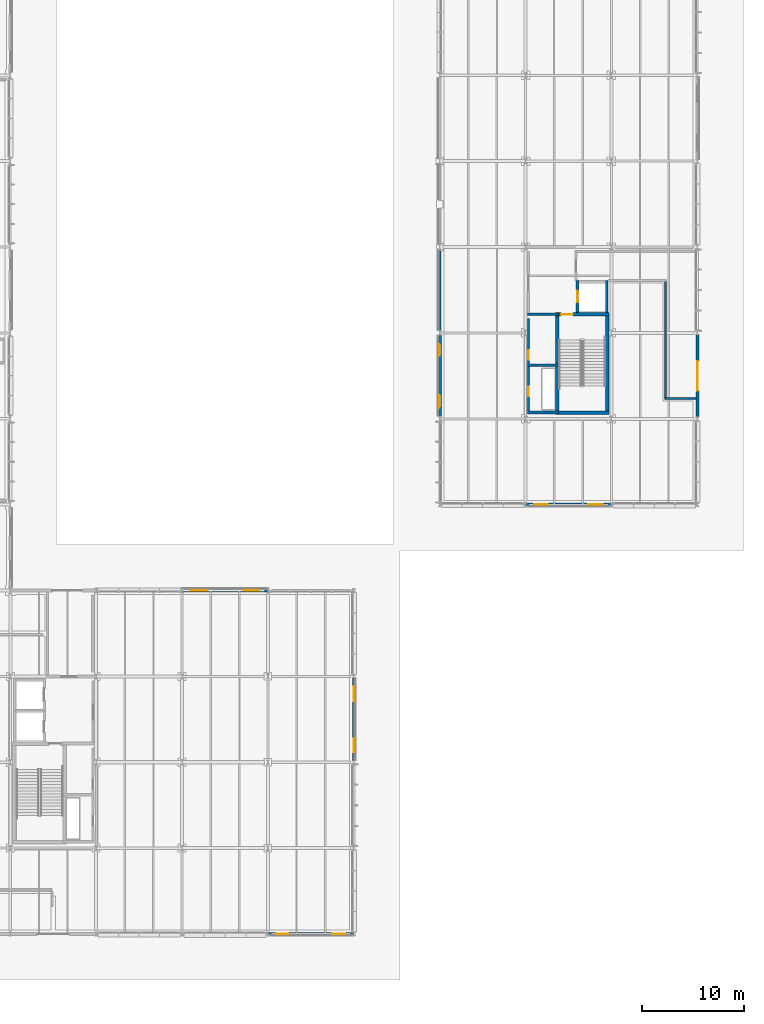
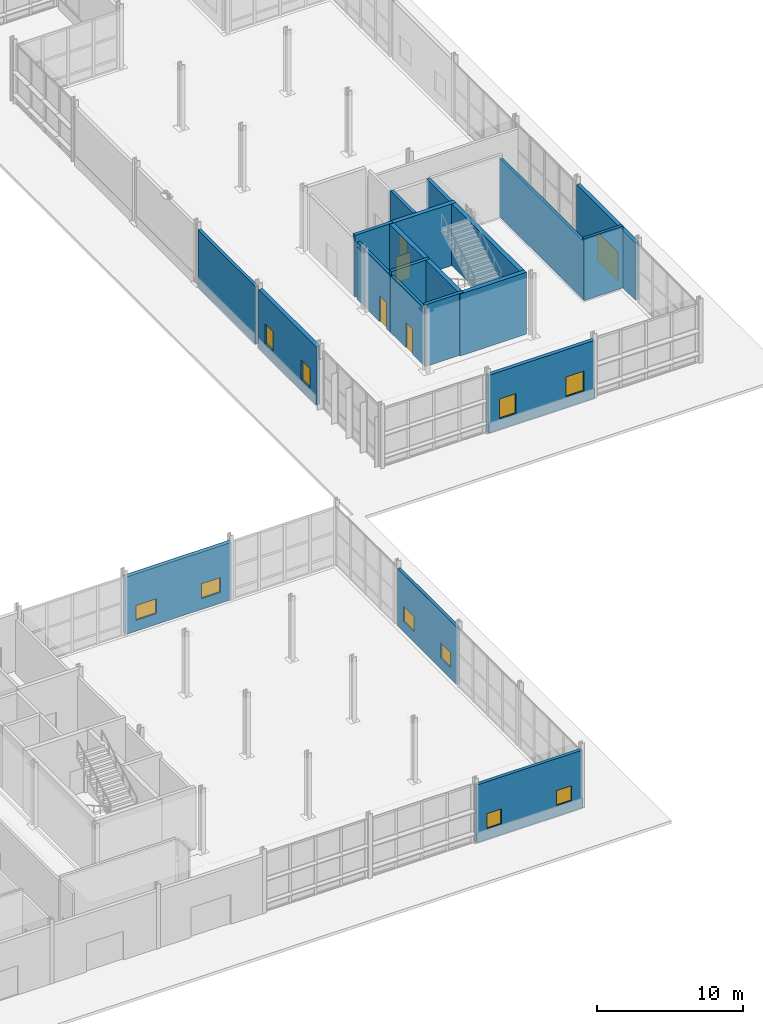
# One storey, part 92 of 124: 20 walls, 10 windows, 5 doors, 15 openings.
"""IFC4 building model written with IfcOpenShell, lengths in metres."""

from ifc_helpers import new_model, si_unit, direction, frame, frame_2d, origin, place, context, subcontext, project, spatial, rectangle, extrude, material, layer, layer_set, type_object, element, fill, save


model = new_model("IFC4")

# Units and contexts
model_context = context("Model", 3, precision=1e-05, world=origin(), true_north=direction((0.0, 1.0)))
body_context = subcontext(model_context, "Body", "Model", "MODEL_VIEW")
ifc_project = project(units=[si_unit("LENGTHUNIT", "METRE"), si_unit("AREAUNIT", "SQUARE_METRE"), si_unit("VOLUMEUNIT", "CUBIC_METRE"), si_unit("PLANEANGLEUNIT", "RADIAN"), si_unit("MASSUNIT", "GRAM", prefix="KILO")], contexts=[model_context])

# Site, building, storey
site_placement = place(None, origin())
site = spatial("IfcSite", under=ifc_project, at=site_placement, CompositionType="ELEMENT")
building_placement = place(site_placement, origin())
building = spatial("IfcBuilding", under=site, at=building_placement, Name="Mersafa Astral City Hall", CompositionType="ELEMENT")
storey_placement = place(building_placement, origin())
storey = spatial("IfcBuildingStorey", under=building, at=storey_placement, Name="L00", CompositionType="ELEMENT", Elevation=0.0)

# Wall, openings, windows
ifc_material_1 = material(Name="Precast concrete C40/50 insulated terracotta spandrel", Category="masonry")
ifc_layer_1 = layer(ifc_material_1, 0.235107421875, Name="Precast concrete C40/50 insulated terracotta spandrel")
ifc_layer_set_1 = layer_set([ifc_layer_1], Name="Precast concrete C40/50 insulated terracotta spandrel — ENV-WAL-EXT-235")
wall_type_1 = type_object("IfcWallType", Name="ENV-WAL-EXT-235", PredefinedType="STANDARD", material=ifc_layer_set_1)
wall_1_placement = place(storey_placement, frame((151.199951171875, 16.946044921875, 0.0), z_axis=(0.0, 0.0, 1.0), x_axis=(0.0, 1.0, 0.0)))
wall_1 = element("IfcWall", 1, at=wall_1_placement, inside=storey, type_object=wall_type_1, Name="L00 Limestone-clad exterior wall 17", PredefinedType="STANDARD", context=body_context, shape_type="SweptSolid", body=[
    extrude(rectangle(XDim=8.10791015625, YDim=0.235107421875, at=frame_2d((4.053955078125, 0.0))), origin(), (0.0, 0.0, 1.0), 4.797119140625),
])
opening_1_placement = place(wall_1_placement, frame((0.85009765625, 0.0, 0.89990234375)))
opening_1 = element("IfcOpeningElement", 2, at=opening_1_placement, cuts=wall_1, Name="Opening W-14", PredefinedType="OPENING", context=body_context, shape_type="SweptSolid", body=[
    extrude(rectangle(XDim=1.320068359375, YDim=1.25, at=frame_2d((0.66015625, 0.625))), frame((0.0, 0.12744140625, 0.0), z_axis=(0.0, -1.0, 0.0), x_axis=(1.0, 0.0, 0.0)), (0.0, 0.0, 1.0), 0.255126953125),
])
opening_2_placement = place(wall_1_placement, frame((5.837890625, 0.0, 0.89990234375)))
opening_2 = element("IfcOpeningElement", 3, at=opening_2_placement, cuts=wall_1, Name="Opening W-15", PredefinedType="OPENING", context=body_context, shape_type="SweptSolid", body=[
    extrude(rectangle(XDim=1.419921875, YDim=1.25, at=frame_2d((0.7099609375, 0.625))), frame((0.0, 0.12744140625, 0.0), z_axis=(0.0, -1.0, 0.0), x_axis=(1.0, 0.0, 0.0)), (0.0, 0.0, 1.0), 0.255126953125),
])
ifc_material_2 = material(Name="Solar control low-e double glazing in bronze frame", Category="glass")
window_type_1 = type_object("IfcWindowType", Name="ENV-WIN-W-14", PartitioningType="SINGLE_PANEL", PredefinedType="WINDOW", material=ifc_material_2)
window_1_placement = place(opening_1_placement, origin())
window_1 = element("IfcWindow", 4, at=window_1_placement, inside=storey, type_object=window_type_1, Name="L00 Solar punched window 17-L", OverallHeight=1.25, OverallWidth=1.320068359375, PartitioningType="SINGLE_PANEL", PredefinedType="WINDOW", context=body_context, shape_type="SweptSolid", body=[
    extrude(rectangle(XDim=1.320068359375, YDim=1.25, at=frame_2d((0.66015625, 0.625))), frame((0.0, 0.030029296875, 0.0), z_axis=(0.0, -1.0, 0.0), x_axis=(1.0, 0.0, 0.0)), (0.0, 0.0, 1.0), 0.06005859375),
])
fill(opening_1, window_1)
window_type_2 = type_object("IfcWindowType", Name="ENV-WIN-W-15", PartitioningType="SINGLE_PANEL", PredefinedType="WINDOW", material=ifc_material_2)
window_2_placement = place(opening_2_placement, origin())
window_2 = element("IfcWindow", 5, at=window_2_placement, inside=storey, type_object=window_type_2, Name="L00 Solar punched window 17-R", OverallHeight=1.25, OverallWidth=1.419921875, PartitioningType="SINGLE_PANEL", PredefinedType="WINDOW", context=body_context, shape_type="SweptSolid", body=[
    extrude(rectangle(XDim=1.419921875, YDim=1.25, at=frame_2d((0.7099609375, 0.625))), frame((0.0, 0.030029296875, 0.0), z_axis=(0.0, -1.0, 0.0), x_axis=(1.0, 0.0, 0.0)), (0.0, 0.0, 1.0), 0.06005859375),
])
fill(opening_2, window_2)

# Wall
wall_2_placement = place(storey_placement, frame((159.60009765625, 66.9541015625, 0.0), z_axis=(0.0, 0.0, 1.0), x_axis=(0.0, -1.0, 0.0)))
element("IfcWall", 6, at=wall_2_placement, inside=storey, type_object=wall_type_1, Name="L00 Limestone-clad exterior wall 29", PredefinedType="STANDARD", context=body_context, shape_type="SweptSolid", body=[
    extrude(rectangle(XDim=7.908203125, YDim=0.235107421875, at=frame_2d((3.9541015625, 0.0))), origin(), (0.0, 0.0, 1.0), 4.797119140625),
])

# Wall, openings, windows
ifc_layer_2 = layer(ifc_material_1, 0.25, Name="Precast concrete C40/50 insulated terracotta spandrel")
ifc_layer_set_2 = layer_set([ifc_layer_2], Name="Precast concrete C40/50 insulated terracotta spandrel — ENV-WAL-EXT-250")
wall_type_2 = type_object("IfcWallType", Name="ENV-WAL-EXT-250", PredefinedType="STANDARD", material=ifc_layer_set_2)
wall_3_placement = place(storey_placement, frame((142.80810546875, 0.0, 0.0), z_axis=(0.0, 0.0, 1.0), x_axis=(1.0, 0.0, 0.0)))
wall_3 = element("IfcWall", 7, at=wall_3_placement, inside=storey, type_object=wall_type_2, Name="L00 Limestone-clad exterior wall 16", PredefinedType="STANDARD", context=body_context, shape_type="SweptSolid", body=[
    extrude(rectangle(XDim=8.3837890625, YDim=0.25, at=frame_2d((4.19189453125, 0.0))), origin(), (0.0, 0.0, 1.0), 4.826904296875),
])
opening_3_placement = place(wall_3_placement, frame((0.85009765625, 0.0, 0.89990234375)))
opening_3 = element("IfcOpeningElement", 8, at=opening_3_placement, cuts=wall_3, Name="Opening W-12", PredefinedType="OPENING", context=body_context, shape_type="SweptSolid", body=[
    extrude(rectangle(XDim=1.1201171875, YDim=1.25, at=frame_2d((0.56005859375, 0.625))), frame((0.0, 0.135009765625, 0.0), z_axis=(0.0, -1.0, 0.0), x_axis=(1.0, 0.0, 0.0)), (0.0, 0.0, 1.0), 0.27001953125),
])
opening_4_placement = place(wall_3_placement, frame((6.31396484375, 0.0, 0.89990234375)))
opening_4 = element("IfcOpeningElement", 9, at=opening_4_placement, cuts=wall_3, Name="Opening W-13", PredefinedType="OPENING", context=body_context, shape_type="SweptSolid", body=[
    extrude(rectangle(XDim=1.219970703125, YDim=1.25, at=frame_2d((0.60986328125, 0.625))), frame((0.0, 0.135009765625, 0.0), z_axis=(0.0, -1.0, 0.0), x_axis=(1.0, 0.0, 0.0)), (0.0, 0.0, 1.0), 0.27001953125),
])
window_type_3 = type_object("IfcWindowType", Name="ENV-WIN-W-12", PartitioningType="SINGLE_PANEL", PredefinedType="WINDOW", material=ifc_material_2)
window_3_placement = place(opening_3_placement, origin())
window_3 = element("IfcWindow", 10, at=window_3_placement, inside=storey, type_object=window_type_3, Name="L00 Solar punched window 16-L", OverallHeight=1.25, OverallWidth=1.1201171875, PartitioningType="SINGLE_PANEL", PredefinedType="WINDOW", context=body_context, shape_type="SweptSolid", body=[
    extrude(rectangle(XDim=1.1201171875, YDim=1.25, at=frame_2d((0.56005859375, 0.625))), frame((0.0, 0.030029296875, 0.0), z_axis=(0.0, -1.0, 0.0), x_axis=(1.0, 0.0, 0.0)), (0.0, 0.0, 1.0), 0.06005859375),
])
fill(opening_3, window_3)
window_type_4 = type_object("IfcWindowType", Name="ENV-WIN-W-13", PartitioningType="SINGLE_PANEL", PredefinedType="WINDOW", material=ifc_material_2)
window_4_placement = place(opening_4_placement, origin())
window_4 = element("IfcWindow", 11, at=window_4_placement, inside=storey, type_object=window_type_4, Name="L00 Solar punched window 16-R", OverallHeight=1.25, OverallWidth=1.219970703125, PartitioningType="SINGLE_PANEL", PredefinedType="WINDOW", context=body_context, shape_type="SweptSolid", body=[
    extrude(rectangle(XDim=1.219970703125, YDim=1.25, at=frame_2d((0.60986328125, 0.625))), frame((0.0, 0.030029296875, 0.0), z_axis=(0.0, -1.0, 0.0), x_axis=(1.0, 0.0, 0.0)), (0.0, 0.0, 1.0), 0.06005859375),
])
fill(opening_4, window_4)

ifc_material_3 = material(Name="Precast concrete C40/50 insulated limestone wall", Category="masonry")
ifc_layer_3 = layer(ifc_material_3, 0.294921875, Name="Precast concrete C40/50 insulated limestone wall")
ifc_layer_set_3 = layer_set([ifc_layer_3], Name="Precast concrete C40/50 insulated limestone wall — ENV-WAL-EXT-295")
wall_type_3 = type_object("IfcWallType", Name="ENV-WAL-EXT-295", PredefinedType="STANDARD", material=ifc_layer_set_3)
wall_4_placement = place(storey_placement, frame((168.008056640625, 42.0, 0.0), z_axis=(0.0, 0.0, 1.0), x_axis=(1.0, 0.0, 0.0)))
wall_4 = element("IfcWall", 12, at=wall_4_placement, inside=storey, type_object=wall_type_3, Name="L00 Limestone-clad exterior wall 31", PredefinedType="STANDARD", context=body_context, shape_type="SweptSolid", body=[
    extrude(rectangle(XDim=8.384033203125, YDim=0.294921875, at=frame_2d((4.19189453125, 0.0))), origin(), (0.0, 0.0, 1.0), 4.826904296875),
])
opening_5_placement = place(wall_4_placement, frame((0.85009765625, 0.0, 0.89990234375)))
opening_5 = element("IfcOpeningElement", 13, at=opening_5_placement, cuts=wall_4, Name="Opening W-34", PredefinedType="OPENING", context=body_context, shape_type="SweptSolid", body=[
    extrude(rectangle(XDim=1.320068359375, YDim=1.64990234375, at=frame_2d((0.66015625, 0.824951171875))), frame((0.0, 0.157470703125, 0.0), z_axis=(0.0, -1.0, 0.0), x_axis=(1.0, 0.0, 0.0)), (0.0, 0.0, 1.0), 0.31494140625),
])
opening_6_placement = place(wall_4_placement, frame((6.114013671875, 0.0, 0.89990234375)))
opening_6 = element("IfcOpeningElement", 14, at=opening_6_placement, cuts=wall_4, Name="Opening W-35", PredefinedType="OPENING", context=body_context, shape_type="SweptSolid", body=[
    extrude(rectangle(XDim=1.419921875, YDim=1.64990234375, at=frame_2d((0.7099609375, 0.824951171875))), frame((0.0, 0.157470703125, 0.0), z_axis=(0.0, -1.0, 0.0), x_axis=(1.0, 0.0, 0.0)), (0.0, 0.0, 1.0), 0.31494140625),
])
window_type_5 = type_object("IfcWindowType", Name="ENV-WIN-W-34", PartitioningType="SINGLE_PANEL", PredefinedType="WINDOW", material=ifc_material_2)
window_5_placement = place(opening_5_placement, origin())
window_5 = element("IfcWindow", 15, at=window_5_placement, inside=storey, type_object=window_type_5, Name="L00 Solar punched window 31-L", OverallHeight=1.64990234375, OverallWidth=1.320068359375, PartitioningType="SINGLE_PANEL", PredefinedType="WINDOW", context=body_context, shape_type="SweptSolid", body=[
    extrude(rectangle(XDim=1.320068359375, YDim=1.64990234375, at=frame_2d((0.66015625, 0.824951171875))), frame((0.0, 0.030029296875, 0.0), z_axis=(0.0, -1.0, 0.0), x_axis=(1.0, 0.0, 0.0)), (0.0, 0.0, 1.0), 0.06005859375),
])
fill(opening_5, window_5)
window_type_6 = type_object("IfcWindowType", Name="ENV-WIN-W-35", PartitioningType="SINGLE_PANEL", PredefinedType="WINDOW", material=ifc_material_2)
window_6_placement = place(opening_6_placement, origin())
window_6 = element("IfcWindow", 16, at=window_6_placement, inside=storey, type_object=window_type_6, Name="L00 Solar punched window 31-R", OverallHeight=1.64990234375, OverallWidth=1.419921875, PartitioningType="SINGLE_PANEL", PredefinedType="WINDOW", context=body_context, shape_type="SweptSolid", body=[
    extrude(rectangle(XDim=1.419921875, YDim=1.64990234375, at=frame_2d((0.7099609375, 0.824951171875))), frame((0.0, 0.030029296875, 0.0), z_axis=(0.0, -1.0, 0.0), x_axis=(1.0, 0.0, 0.0)), (0.0, 0.0, 1.0), 0.06005859375),
])
fill(opening_6, window_6)

# Wall, opening, door
wall_5_placement = place(storey_placement, frame((184.800048828125, 58.634033203125, 0.0), z_axis=(0.0, 0.0, 1.0), x_axis=(0.0, -1.0, 0.0)))
wall_5 = element("IfcWall", 17, at=wall_5_placement, inside=storey, type_object=wall_type_3, Name="L00 Protected passageway exit wall E8", PredefinedType="STANDARD", context=body_context, shape_type="SweptSolid", body=[
    extrude(rectangle(XDim=8.05810546875, YDim=0.294921875, at=frame_2d((4.029052734375, 0.0))), origin(), (0.0, 0.0, 1.0), 4.797119140625),
])
opening_7_placement = place(wall_5_placement, frame((2.583984375, 0.0, 0.0)))
opening_7 = element("IfcOpeningElement", 18, at=opening_7_placement, cuts=wall_5, Name="Opening ED-4", PredefinedType="OPENING", context=body_context, shape_type="SweptSolid", body=[
    extrude(rectangle(XDim=2.89990234375, YDim=2.3798828125, at=frame_2d((1.449951171875, 1.18994140625))), frame((0.0, 0.157470703125, 0.0), z_axis=(0.0, -1.0, 0.0), x_axis=(1.0, 0.0, 0.0)), (0.0, 0.0, 1.0), 0.31494140625),
])
ifc_material_4 = material(Name="Fire-rated steel exit door pair", Category="steel")
door_type_1 = type_object("IfcDoorType", Name="ENV-DR-EXIT-FD90-2650", OperationType="NOTDEFINED", PredefinedType="DOOR", material=ifc_material_4)
door_1_placement = place(opening_7_placement, origin())
door_1 = element("IfcDoor", 19, at=door_1_placement, inside=storey, type_object=door_type_1, Name="Ground Final Exit Door E8", OperationType="DOUBLE_DOOR_SINGLE_SWING", OverallHeight=2.3798828125, OverallWidth=2.89990234375, PredefinedType="DOOR", context=body_context, shape_type="SweptSolid", body=[
    extrude(rectangle(XDim=2.89990234375, YDim=2.3798828125, at=frame_2d((1.449951171875, 1.18994140625))), frame((0.0, 0.02490234375, 0.0), z_axis=(0.0, -1.0, 0.0), x_axis=(1.0, 0.0, 0.0)), (0.0, 0.0, 1.0), 0.050048828125),
])
fill(opening_7, door_1)

# Wall, openings, windows
ifc_layer_4 = layer(ifc_material_3, 0.31005859375, Name="Precast concrete C40/50 insulated limestone wall")
ifc_layer_set_4 = layer_set([ifc_layer_4], Name="Precast concrete C40/50 insulated limestone wall — ENV-WAL-EXT-310")
wall_type_4 = type_object("IfcWallType", Name="ENV-WAL-EXT-310", PredefinedType="STANDARD", material=ifc_layer_set_4)
wall_6_placement = place(storey_placement, frame((142.7919921875, 33.60009765625, 0.0), z_axis=(0.0, 0.0, 1.0), x_axis=(-1.0, 0.0, 0.0)))
wall_6 = element("IfcWall", 20, at=wall_6_placement, inside=storey, type_object=wall_type_4, Name="L00 Limestone-clad exterior wall 18", PredefinedType="STANDARD", context=body_context, shape_type="SweptSolid", body=[
    extrude(rectangle(XDim=8.384033203125, YDim=0.31005859375, at=frame_2d((4.19189453125, 0.0))), origin(), (0.0, 0.0, 1.0), 4.797119140625),
])
opening_8_placement = place(wall_6_placement, frame((0.85009765625, 0.0, 0.89990234375)))
opening_8 = element("IfcOpeningElement", 21, at=opening_8_placement, cuts=wall_6, Name="Opening W-16", PredefinedType="OPENING", context=body_context, shape_type="SweptSolid", body=[
    extrude(rectangle(XDim=1.52001953125, YDim=1.25, at=frame_2d((0.760009765625, 0.625))), frame((0.0, 0.1650390625, 0.0), z_axis=(0.0, -1.0, 0.0), x_axis=(1.0, 0.0, 0.0)), (0.0, 0.0, 1.0), 0.330078125),
])
opening_9_placement = place(wall_6_placement, frame((5.9140625, 0.0, 0.89990234375)))
opening_9 = element("IfcOpeningElement", 22, at=opening_9_placement, cuts=wall_6, Name="Opening W-17", PredefinedType="OPENING", context=body_context, shape_type="SweptSolid", body=[
    extrude(rectangle(XDim=1.6201171875, YDim=1.25, at=frame_2d((0.81005859375, 0.625))), frame((0.0, 0.1650390625, 0.0), z_axis=(0.0, -1.0, 0.0), x_axis=(1.0, 0.0, 0.0)), (0.0, 0.0, 1.0), 0.330078125),
])
window_type_7 = type_object("IfcWindowType", Name="ENV-WIN-W-16", PartitioningType="SINGLE_PANEL", PredefinedType="WINDOW", material=ifc_material_2)
window_7_placement = place(opening_8_placement, origin())
window_7 = element("IfcWindow", 23, at=window_7_placement, inside=storey, type_object=window_type_7, Name="L00 Solar punched window 18-L", OverallHeight=1.25, OverallWidth=1.52001953125, PartitioningType="SINGLE_PANEL", PredefinedType="WINDOW", context=body_context, shape_type="SweptSolid", body=[
    extrude(rectangle(XDim=1.52001953125, YDim=1.25, at=frame_2d((0.760009765625, 0.625))), frame((0.0, 0.030029296875, 0.0), z_axis=(0.0, -1.0, 0.0), x_axis=(1.0, 0.0, 0.0)), (0.0, 0.0, 1.0), 0.06005859375),
])
fill(opening_8, window_7)
window_type_8 = type_object("IfcWindowType", Name="ENV-WIN-W-17", PartitioningType="SINGLE_PANEL", PredefinedType="WINDOW", material=ifc_material_2)
window_8_placement = place(opening_9_placement, origin())
window_8 = element("IfcWindow", 24, at=window_8_placement, inside=storey, type_object=window_type_8, Name="L00 Solar punched window 18-R", OverallHeight=1.25, OverallWidth=1.6201171875, PartitioningType="SINGLE_PANEL", PredefinedType="WINDOW", context=body_context, shape_type="SweptSolid", body=[
    extrude(rectangle(XDim=1.6201171875, YDim=1.25, at=frame_2d((0.81005859375, 0.625))), frame((0.0, 0.030029296875, 0.0), z_axis=(0.0, -1.0, 0.0), x_axis=(1.0, 0.0, 0.0)), (0.0, 0.0, 1.0), 0.06005859375),
])
fill(opening_9, window_8)

wall_7_placement = place(storey_placement, frame((159.60009765625, 58.553955078125, 0.0), z_axis=(0.0, 0.0, 1.0), x_axis=(0.0, -1.0, 0.0)))
wall_7 = element("IfcWall", 25, at=wall_7_placement, inside=storey, type_object=wall_type_4, Name="L00 Limestone-clad exterior wall 30", PredefinedType="STANDARD", context=body_context, shape_type="SweptSolid", body=[
    extrude(rectangle(XDim=7.907958984375, YDim=0.31005859375, at=frame_2d((3.9541015625, 0.0))), origin(), (0.0, 0.0, 1.0), 4.886962890625),
])
opening_10_placement = place(wall_7_placement, frame((0.85009765625, 0.0, 0.89990234375)))
opening_10 = element("IfcOpeningElement", 26, at=opening_10_placement, cuts=wall_7, Name="Opening W-32", PredefinedType="OPENING", context=body_context, shape_type="SweptSolid", body=[
    extrude(rectangle(XDim=1.1201171875, YDim=1.64990234375, at=frame_2d((0.56005859375, 0.824951171875))), frame((0.0, 0.1650390625, 0.0), z_axis=(0.0, -1.0, 0.0), x_axis=(1.0, 0.0, 0.0)), (0.0, 0.0, 1.0), 0.330078125),
])
opening_11_placement = place(wall_7_placement, frame((5.837890625, 0.0, 0.89990234375)))
opening_11 = element("IfcOpeningElement", 27, at=opening_11_placement, cuts=wall_7, Name="Opening W-33", PredefinedType="OPENING", context=body_context, shape_type="SweptSolid", body=[
    extrude(rectangle(XDim=1.219970703125, YDim=1.64990234375, at=frame_2d((0.60986328125, 0.824951171875))), frame((0.0, 0.1650390625, 0.0), z_axis=(0.0, -1.0, 0.0), x_axis=(1.0, 0.0, 0.0)), (0.0, 0.0, 1.0), 0.330078125),
])
window_type_9 = type_object("IfcWindowType", Name="ENV-WIN-W-32", PartitioningType="SINGLE_PANEL", PredefinedType="WINDOW", material=ifc_material_2)
window_9_placement = place(opening_10_placement, origin())
window_9 = element("IfcWindow", 28, at=window_9_placement, inside=storey, type_object=window_type_9, Name="L00 Solar punched window 30-L", OverallHeight=1.64990234375, OverallWidth=1.1201171875, PartitioningType="SINGLE_PANEL", PredefinedType="WINDOW", context=body_context, shape_type="SweptSolid", body=[
    extrude(rectangle(XDim=1.1201171875, YDim=1.64990234375, at=frame_2d((0.56005859375, 0.824951171875))), frame((0.0, 0.030029296875, 0.0), z_axis=(0.0, -1.0, 0.0), x_axis=(1.0, 0.0, 0.0)), (0.0, 0.0, 1.0), 0.06005859375),
])
fill(opening_10, window_9)
window_type_10 = type_object("IfcWindowType", Name="ENV-WIN-W-33", PartitioningType="SINGLE_PANEL", PredefinedType="WINDOW", material=ifc_material_2)
window_10_placement = place(opening_11_placement, origin())
window_10 = element("IfcWindow", 29, at=window_10_placement, inside=storey, type_object=window_type_10, Name="L00 Solar punched window 30-R", OverallHeight=1.64990234375, OverallWidth=1.219970703125, PartitioningType="SINGLE_PANEL", PredefinedType="WINDOW", context=body_context, shape_type="SweptSolid", body=[
    extrude(rectangle(XDim=1.219970703125, YDim=1.64990234375, at=frame_2d((0.60986328125, 0.824951171875))), frame((0.0, 0.030029296875, 0.0), z_axis=(0.0, -1.0, 0.0), x_axis=(1.0, 0.0, 0.0)), (0.0, 0.0, 1.0), 0.06005859375),
])
fill(opening_11, window_10)

# Wall
ifc_material_5 = material(Name="Concrete C40/50", Category="concrete")
ifc_layer_5 = layer(ifc_material_5, 0.260009765625, Name="Concrete C40/50")
ifc_layer_set_5 = layer_set([ifc_layer_5], Name="Concrete C40/50 — INT-WAL-CORE-260")
wall_type_5 = type_object("IfcWallType", Name="INT-WAL-CORE-260", PredefinedType="SHEAR", material=ifc_layer_set_5)
wall_8_placement = place(storey_placement, frame((175.955078125, 60.797119140625, 0.0), z_axis=(0.0, 0.0, 1.0), x_axis=(0.0, 1.0, 0.0)))
element("IfcWall", 30, at=wall_8_placement, inside=storey, type_object=wall_type_5, Name="L00 Lift LF6 back shaft wall", PredefinedType="SHEAR", context=body_context, shape_type="SweptSolid", body=[
    extrude(rectangle(XDim=3.117919921875, YDim=0.260009765625, at=frame_2d((1.55908203125, 0.0))), origin(), (0.0, 0.0, 1.0), 5.175048828125),
])

# Wall, opening, door
wall_9_placement = place(storey_placement, frame((173.0849609375, 60.797119140625, 0.0), z_axis=(0.0, 0.0, 1.0), x_axis=(0.0, 1.0, 0.0)))
wall_9 = element("IfcWall", 31, at=wall_9_placement, inside=storey, type_object=wall_type_5, Name="L00 Lift LF6 front shaft wall", PredefinedType="SHEAR", context=body_context, shape_type="SweptSolid", body=[
    extrude(rectangle(XDim=3.117919921875, YDim=0.260009765625, at=frame_2d((1.55908203125, 0.0))), origin(), (0.0, 0.0, 1.0), 5.175048828125),
])
opening_12_placement = place(wall_9_placement, frame((1.009033203125, 0.0, 0.0)))
opening_12 = element("IfcOpeningElement", 32, at=opening_12_placement, cuts=wall_9, Name="Opening LD-1", PredefinedType="OPENING", context=body_context, shape_type="SweptSolid", body=[
    extrude(rectangle(XDim=1.10009765625, YDim=2.14990234375, at=frame_2d((0.550048828125, 1.074951171875))), frame((0.0, 0.139892578125, 0.0), z_axis=(0.0, -1.0, 0.0), x_axis=(1.0, 0.0, 0.0)), (0.0, 0.0, 1.0), 0.280029296875),
])
ifc_material_6 = material(Name="Stainless steel sliding lift landing door", Category="steel")
door_type_2 = type_object("IfcDoorType", Name="INT-DR-LIFT-LD1", OperationType="NOTDEFINED", PredefinedType="DOOR", material=ifc_material_6)
door_2_placement = place(opening_12_placement, origin())
door_2 = element("IfcDoor", 33, at=door_2_placement, inside=storey, type_object=door_type_2, Name="Elevator LF6 Sliding Landing Door L00", OperationType="DOUBLE_DOOR_SLIDING", OverallHeight=2.14990234375, OverallWidth=1.10009765625, PredefinedType="DOOR", context=body_context, shape_type="SweptSolid", body=[
    extrude(rectangle(XDim=1.10009765625, YDim=2.14990234375, at=frame_2d((0.550048828125, 1.074951171875))), frame((0.0, 0.02490234375, 0.0), z_axis=(0.0, -1.0, 0.0), x_axis=(1.0, 0.0, 0.0)), (0.0, 0.0, 1.0), 0.050048828125),
])
fill(opening_12, door_2)

# Walls
for number, where, z_axis, x_axis, name in (
    (34, (168.199951171875, 51.02001953125, 0.0), (0.0, 0.0, 1.0), (1.0, 0.0, 0.0), "L00 Core K4 riser south wall"),
    (35, (168.199951171875, 55.635009765625, 0.0), (0.0, 0.0, 1.0), (1.0, 0.0, 0.0), "L00 Core K4 riser-restroom divider wall"),
    (36, (168.199951171875, 60.635009765625, 0.0), (0.0, 0.0, 1.0), (1.0, 0.0, 0.0), "L00 Core K4 restroom-lobby divider wall"),
):
    element("IfcWall", number, at=place(storey_placement, frame(where, z_axis=z_axis, x_axis=x_axis)), inside=storey, type_object=wall_type_5, Name=name, PredefinedType="SHEAR", context=body_context, shape_type="SweptSolid", body=[
        extrude(rectangle(XDim=3.03515625, YDim=0.260009765625, at=frame_2d((1.517578125, 0.0))), origin(), (0.0, 0.0, 1.0), 5.175048828125),
    ])
ifc_layer_6 = layer(ifc_material_5, 0.340087890625, Name="Concrete C40/50")
ifc_layer_set_6 = layer_set([ifc_layer_6], Name="Concrete C40/50 — INT-WAL-CORE-340")
wall_type_6 = type_object("IfcWallType", Name="INT-WAL-CORE-340", PredefinedType="SHEAR", material=ifc_layer_set_6)
for number, where, z_axis, x_axis, name in (
    (37, (171.0849609375, 50.804931640625, 0.0), (0.0, 0.0, 1.0), (0.0, 1.0, 0.0), "L00 Core K4 stair west shear wall"),
    (38, (175.9951171875, 50.804931640625, 0.0), (0.0, 0.0, 1.0), (0.0, 1.0, 0.0), "L00 Core K4 stair east shear wall"),
):
    element("IfcWall", number, at=place(storey_placement, frame(where, z_axis=z_axis, x_axis=x_axis)), inside=storey, type_object=wall_type_6, Name=name, PredefinedType="SHEAR", context=body_context, shape_type="SweptSolid", body=[
        extrude(rectangle(XDim=9.989990234375, YDim=0.340087890625, at=frame_2d((4.9951171875, 0.0))), origin(), (0.0, 0.0, 1.0), 5.175048828125),
    ])
wall_10_placement = place(storey_placement, frame((170.9150390625, 50.97509765625, 0.0), z_axis=(0.0, 0.0, 1.0), x_axis=(1.0, 0.0, 0.0)))
element("IfcWall", 39, at=wall_10_placement, inside=storey, type_object=wall_type_6, Name="L00 Core K4 stair south shear wall", PredefinedType="SHEAR", context=body_context, shape_type="SweptSolid", body=[
    extrude(rectangle(XDim=5.25, YDim=0.340087890625, at=frame_2d((2.625, 0.0))), origin(), (0.0, 0.0, 1.0), 5.175048828125),
])

# Wall, opening, door
wall_11_placement = place(storey_placement, frame((170.9150390625, 60.625, 0.0), z_axis=(0.0, 0.0, 1.0), x_axis=(1.0, 0.0, 0.0)))
wall_11 = element("IfcWall", 40, at=wall_11_placement, inside=storey, type_object=wall_type_6, Name="L00 Core K4 stair-lobby fire wall", PredefinedType="SHEAR", context=body_context, shape_type="SweptSolid", body=[
    extrude(rectangle(XDim=5.25, YDim=0.340087890625, at=frame_2d((2.625, 0.0))), origin(), (0.0, 0.0, 1.0), 5.175048828125),
])
opening_13_placement = place(wall_11_placement, frame((0.56494140625, 0.0, 0.0)))
opening_13 = element("IfcOpeningElement", 41, at=opening_13_placement, cuts=wall_11, Name="Opening CD-1", PredefinedType="OPENING", context=body_context, shape_type="SweptSolid", body=[
    extrude(rectangle(XDim=1.14990234375, YDim=2.14990234375, at=frame_2d((0.574951171875, 1.074951171875))), frame((0.0, 0.179931640625, 0.0), z_axis=(0.0, -1.0, 0.0), x_axis=(1.0, 0.0, 0.0)), (0.0, 0.0, 1.0), 0.360107421875),
])
ifc_material_7 = material(Name="Fire-rated steel stair door", Category="steel")
door_type_3 = type_object("IfcDoorType", Name="INT-DR-STAIR-FD90-1150", OperationType="NOTDEFINED", PredefinedType="DOOR", material=ifc_material_7)
door_3_placement = place(opening_13_placement, origin())
door_3 = element("IfcDoor", 42, at=door_3_placement, inside=storey, type_object=door_type_3, Name="L00 Protected Stair ST4 Door", OperationType="SINGLE_SWING_LEFT", OverallHeight=2.14990234375, OverallWidth=1.14990234375, PredefinedType="DOOR", context=body_context, shape_type="SweptSolid", body=[
    extrude(rectangle(XDim=1.14990234375, YDim=2.14990234375, at=frame_2d((0.574951171875, 1.074951171875))), frame((0.0, 0.02490234375, 0.0), z_axis=(0.0, -1.0, 0.0), x_axis=(1.0, 0.0, 0.0)), (0.0, 0.0, 1.0), 0.050048828125),
])
fill(opening_13, door_3)

ifc_material_8 = material(Name="Autoclaved aerated concrete blockwork plastered", Category="masonry")
ifc_layer_7 = layer(ifc_material_8, 0.2099609375, Name="Autoclaved aerated concrete blockwork plastered")
ifc_layer_set_7 = layer_set([ifc_layer_7], Name="Autoclaved aerated concrete blockwork plastered — INT-WAL-PART-EI60-210")
wall_type_7 = type_object("IfcWallType", Name="INT-WAL-PART-EI60-210", PredefinedType="STANDARD", material=ifc_layer_set_7)
wall_12_placement = place(storey_placement, frame((168.300048828125, 51.02001953125, 0.0), z_axis=(0.0, 0.0, 1.0), x_axis=(0.0, 1.0, 0.0)))
wall_12 = element("IfcWall", 43, at=wall_12_placement, inside=storey, type_object=wall_type_7, Name="L00 Core K4 riser corridor partition", PredefinedType="STANDARD", context=body_context, shape_type="SweptSolid", body=[
    extrude(rectangle(XDim=4.590087890625, YDim=0.2099609375, at=frame_2d((2.294921875, 0.0))), origin(), (0.0, 0.0, 1.0), 4.806884765625),
])
opening_14_placement = place(wall_12_placement, frame((1.60009765625, 0.0, 0.0)))
opening_14 = element("IfcOpeningElement", 44, at=opening_14_placement, cuts=wall_12, Name="Opening CD-5", PredefinedType="OPENING", context=body_context, shape_type="SweptSolid", body=[
    extrude(rectangle(XDim=0.89990234375, YDim=2.10009765625, at=frame_2d((0.449951171875, 1.050048828125))), frame((0.0, 0.114990234375, 0.0), z_axis=(0.0, -1.0, 0.0), x_axis=(1.0, 0.0, 0.0)), (0.0, 0.0, 1.0), 0.22998046875),
])
ifc_material_9 = material(Name="Fire-rated steel riser access door", Category="steel")
door_type_4 = type_object("IfcDoorType", Name="INT-DR-RISER-FD60-900", OperationType="NOTDEFINED", PredefinedType="DOOR", material=ifc_material_9)
door_4_placement = place(opening_14_placement, origin())
door_4 = element("IfcDoor", 45, at=door_4_placement, inside=storey, type_object=door_type_4, Name="L00 K4 MEP Riser Access Door", OperationType="SINGLE_SWING_LEFT", OverallHeight=2.10009765625, OverallWidth=0.89990234375, PredefinedType="DOOR", context=body_context, shape_type="SweptSolid", body=[
    extrude(rectangle(XDim=0.89990234375, YDim=2.10009765625, at=frame_2d((0.449951171875, 1.050048828125))), frame((0.0, 0.02490234375, 0.0), z_axis=(0.0, -1.0, 0.0), x_axis=(1.0, 0.0, 0.0)), (0.0, 0.0, 1.0), 0.050048828125),
])
fill(opening_14, door_4)

wall_13_placement = place(storey_placement, frame((168.300048828125, 55.719970703125, 0.0), z_axis=(0.0, 0.0, 1.0), x_axis=(0.0, 1.0, 0.0)))
wall_13 = element("IfcWall", 46, at=wall_13_placement, inside=storey, type_object=wall_type_7, Name="L00 Core K4 accessible WC corridor partition", PredefinedType="STANDARD", context=body_context, shape_type="SweptSolid", body=[
    extrude(rectangle(XDim=4.47998046875, YDim=0.2099609375, at=frame_2d((2.239990234375, 0.0))), origin(), (0.0, 0.0, 1.0), 4.806884765625),
])
opening_15_placement = place(wall_13_placement, frame((0.449951171875, 0.0, 0.0)))
opening_15 = element("IfcOpeningElement", 47, at=opening_15_placement, cuts=wall_13, Name="Opening CD-4", PredefinedType="OPENING", context=body_context, shape_type="SweptSolid", body=[
    extrude(rectangle(XDim=0.949951171875, YDim=2.14990234375, at=frame_2d((0.47509765625, 1.074951171875))), frame((0.0, 0.114990234375, 0.0), z_axis=(0.0, -1.0, 0.0), x_axis=(1.0, 0.0, 0.0)), (0.0, 0.0, 1.0), 0.22998046875),
])
ifc_material_10 = material(Name="Accessible timber acoustic WC door", Category="wood")
door_type_5 = type_object("IfcDoorType", Name="INT-DR-WC-FD30-950", OperationType="NOTDEFINED", PredefinedType="DOOR", material=ifc_material_10)
door_5_placement = place(opening_15_placement, origin())
door_5 = element("IfcDoor", 48, at=door_5_placement, inside=storey, type_object=door_type_5, Name="L00 K4 Accessible Restroom Door", OperationType="SINGLE_SWING_RIGHT", OverallHeight=2.14990234375, OverallWidth=0.949951171875, PredefinedType="DOOR", context=body_context, shape_type="SweptSolid", body=[
    extrude(rectangle(XDim=0.949951171875, YDim=2.14990234375, at=frame_2d((0.47509765625, 1.074951171875))), frame((0.0, 0.02490234375, 0.0), z_axis=(0.0, -1.0, 0.0), x_axis=(1.0, 0.0, 0.0)), (0.0, 0.0, 1.0), 0.050048828125),
])
fill(opening_15, door_5)

# Walls
wall_14_placement = place(storey_placement, frame((181.68994140625, 63.919921875, 0.0), z_axis=(0.0, 0.0, 1.0), x_axis=(0.0, -1.0, 0.0)))
element("IfcWall", 49, at=wall_14_placement, inside=storey, type_object=wall_type_7, Name="L00 K4 exit passageway west leg fire partition", PredefinedType="STANDARD", context=body_context, shape_type="SweptSolid", body=[
    extrude(rectangle(XDim=11.530029296875, YDim=0.2099609375, at=frame_2d((5.76513671875, 0.0))), origin(), (0.0, 0.0, 1.0), 4.886962890625),
])
wall_15_placement = place(storey_placement, frame((181.590087890625, 52.389892578125, 0.0), z_axis=(0.0, 0.0, 1.0), x_axis=(1.0, 0.0, 0.0)))
element("IfcWall", 50, at=wall_15_placement, inside=storey, type_object=wall_type_7, Name="L00 K4 exit passageway south end fire partition", PredefinedType="STANDARD", context=body_context, shape_type="SweptSolid", body=[
    extrude(rectangle(XDim=3.059814453125, YDim=0.2099609375, at=frame_2d((1.52978515625, 0.0))), origin(), (0.0, 0.0, 1.0), 5.175048828125),
])

save(model, "model.ifc")
